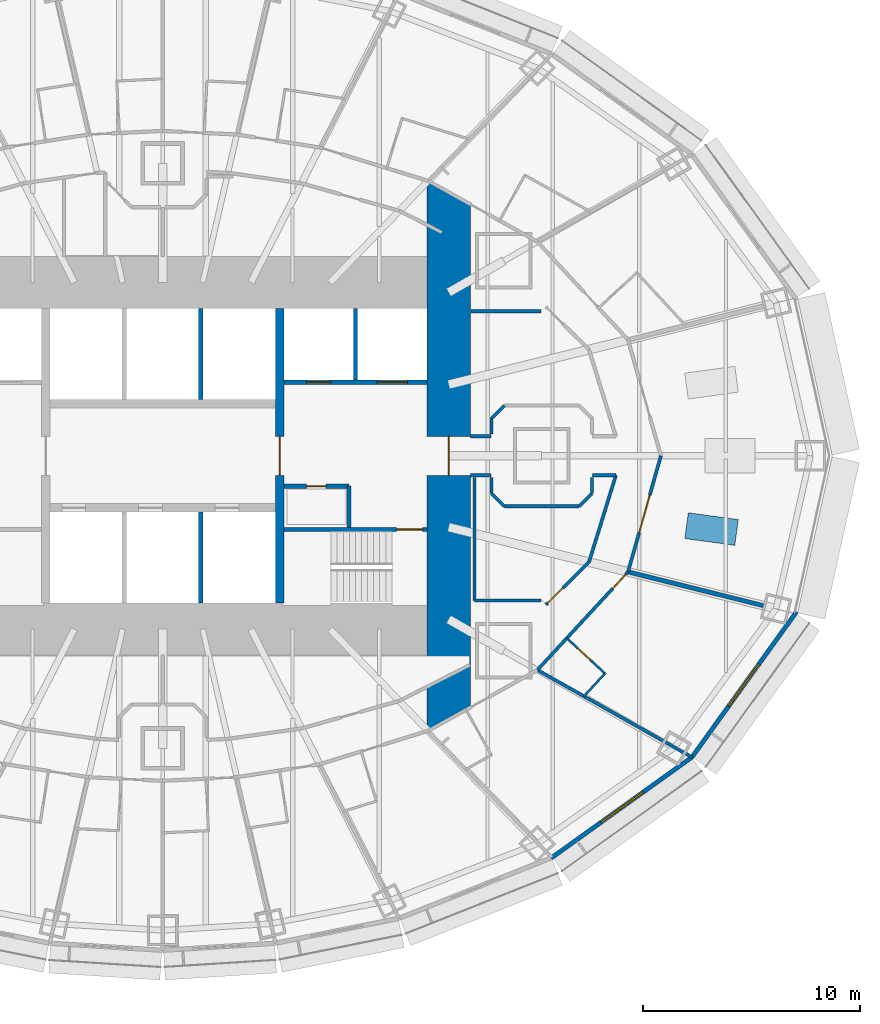
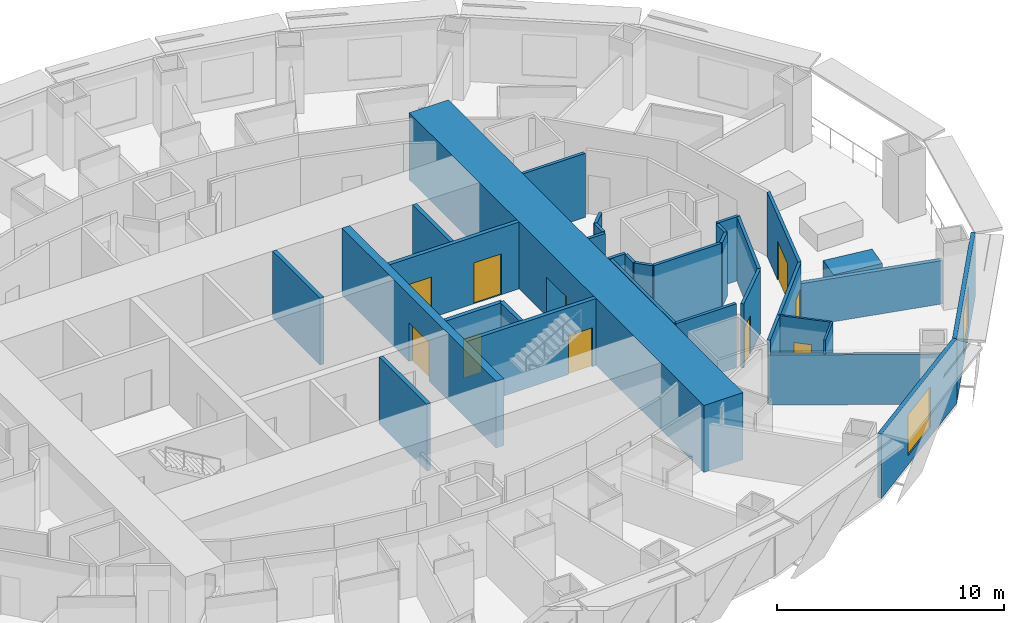
# One storey, part 8 of 17: 33 walls, 10 doors, 2 windows, 12 openings.
"""IFC4 building model written with IfcOpenShell, lengths in metres."""

from ifc_helpers import new_model, si_unit, direction, frame, frame_2d, origin, place, context, subcontext, project, spatial, rectangle, extrude, material, layer, layer_set, type_object, element, fill, save


model = new_model("IFC4")

# Units and contexts
model_context = context("Model", 3, precision=1e-05, world=origin(), true_north=direction((0.0, 1.0)))
body_context = subcontext(model_context, "Body", "Model", "MODEL_VIEW")
ifc_project = project(units=[si_unit("LENGTHUNIT", "METRE"), si_unit("AREAUNIT", "SQUARE_METRE"), si_unit("VOLUMEUNIT", "CUBIC_METRE"), si_unit("PLANEANGLEUNIT", "RADIAN"), si_unit("MASSUNIT", "GRAM", prefix="KILO")], contexts=[model_context])

# Site, building, storey
site_placement = place(None, origin())
site = spatial("IfcSite", under=ifc_project, at=site_placement, CompositionType="ELEMENT")
building_placement = place(site_placement, origin())
building = spatial("IfcBuilding", under=site, at=building_placement, Name="Lantaw Convention Tower", CompositionType="ELEMENT")
storey_placement = place(building_placement, frame((0.0, 0.0, 69.39990234375)))
storey = spatial("IfcBuildingStorey", under=building, at=storey_placement, Name="L15", CompositionType="ELEMENT", Elevation=69.39990234375)

# Walls
ifc_material_1 = material(Name="Gypsum board on steel studs", Category="steel")
ifc_layer_1 = layer(ifc_material_1, 0.14990234375)
ifc_layer_set_1 = layer_set([ifc_layer_1], Name="Back of house wall 150")
wall_type_1 = type_object("IfcWallType", Name="Back of house wall 150", PredefinedType="PARTITIONING", material=ifc_layer_set_1)
wall_1_placement = place(storey_placement, frame((14.39990234375, -1.0048828125, 0.0), z_axis=(0.0, 0.0, 1.0), x_axis=(0.0, -1.0, 0.0)))
element("IfcWall", 1, at=wall_1_placement, inside=storey, type_object=wall_type_1, Name="Back of house wall 150", PredefinedType="PARTITIONING", context=body_context, shape_type="SweptSolid", body=[
    extrude(rectangle(XDim=5.670166015625, YDim=0.14990234375, at=frame_2d((2.8349609375, 0.0))), origin(), (0.0, 0.0, 1.0), 3.4501953125),
])
wall_2_placement = place(storey_placement, frame((14.39990234375, -6.675048828125, 0.0), z_axis=(0.0, 0.0, 1.0), x_axis=(1.0, 0.0, 0.0)))
element("IfcWall", 2, at=wall_2_placement, inside=storey, type_object=wall_type_1, Name="Back of house wall 150", PredefinedType="PARTITIONING", context=body_context, shape_type="SweptSolid", body=[
    extrude(rectangle(XDim=3.07470703125, YDim=0.14990234375, at=frame_2d((1.537353515625, 0.0))), origin(), (0.0, 0.0, 1.0), 3.4501953125),
])

# Wall, opening, door
ifc_material_2 = material(Name="Moisture resistant gypsum board on steel studs", Category="steel")
ifc_layer_2 = layer(ifc_material_2, 0.10009765625)
ifc_layer_set_2 = layer_set([ifc_layer_2], Name="Bathroom wall 100")
wall_type_2 = type_object("IfcWallType", Name="Bathroom wall 100", PredefinedType="PARTITIONING", material=ifc_layer_set_2)
wall_3_placement = place(storey_placement, frame((18.65625, -8.416259765625, 0.0), z_axis=(0.0, 0.0, 1.0), x_axis=(0.73447964986, -0.678630712495, 0.0)))
wall_3 = element("IfcWall", 3, at=wall_3_placement, inside=storey, type_object=wall_type_2, Name="Bathroom wall 100", PredefinedType="PARTITIONING", context=body_context, shape_type="SweptSolid", body=[
    extrude(rectangle(XDim=2.39990234375, YDim=0.10009765625, at=frame_2d((1.199951171875, 0.0))), origin(), (0.0, 0.0, 1.0), 3.4501953125),
])
opening_1_placement = place(wall_3_placement, frame((0.699951171875, 0.0, 0.0)))
opening_1 = element("IfcOpeningElement", 4, at=opening_1_placement, cuts=wall_3, Name="Opening L15.67", PredefinedType="OPENING", context=body_context, shape_type="SweptSolid", body=[
    extrude(rectangle(XDim=0.800048828125, YDim=2.10009765625, at=frame_2d((0.39990234375, 1.050048828125))), frame((0.0, 0.06005859375, 0.0), z_axis=(0.0, -1.0, 0.0), x_axis=(1.0, 0.0, 0.0)), (0.0, 0.0, 1.0), 0.1201171875),
])
ifc_material_3 = material(Name="Timber", Category="wood")
door_type_1 = type_object("IfcDoorType", Name="Bathroom door 800", OperationType="SINGLE_SWING_LEFT", PredefinedType="DOOR", material=ifc_material_3)
door_1_placement = place(opening_1_placement, origin())
door_1 = element("IfcDoor", 5, at=door_1_placement, inside=storey, type_object=door_type_1, Name="Bathroom door", OperationType="SINGLE_SWING_LEFT", OverallHeight=2.10009765625, OverallWidth=0.800048828125, PredefinedType="DOOR", context=body_context, shape_type="SweptSolid", body=[
    extrude(rectangle(XDim=0.800048828125, YDim=2.10009765625, at=frame_2d((0.39990234375, 1.050048828125))), frame((0.0, 0.02490234375, 0.0), z_axis=(0.0, -1.0, 0.0), x_axis=(1.0, 0.0, 0.0)), (0.0, 0.0, 1.0), 0.050048828125),
])
fill(opening_1, door_1)

# Wall
wall_4_placement = place(storey_placement, frame((20.4189453125, -10.044921875, 0.0), z_axis=(0.0, 0.0, 1.0), x_axis=(-0.67861657312, -0.734492713842, 0.0)))
element("IfcWall", 6, at=wall_4_placement, inside=storey, type_object=wall_type_2, Name="Bathroom wall 100", PredefinedType="PARTITIONING", context=body_context, shape_type="SweptSolid", body=[
    extrude(rectangle(XDim=1.4462890625, YDim=0.10009765625, at=frame_2d((0.72314453125, 0.0))), origin(), (0.0, 0.0, 1.0), 3.4501953125),
])

# Wall, opening, door
ifc_material_4 = material(Name="Concrete C60/75", Category="concrete")
ifc_layer_3 = layer(ifc_material_4, 0.199951171875)
ifc_layer_set_3 = layer_set([ifc_layer_3], Name="Core wall 200")
wall_type_3 = type_object("IfcWallType", Name="Core wall 200", PredefinedType="SHEAR", material=ifc_layer_set_3)
wall_5_placement = place(storey_placement, frame((5.60009765625, -3.39990234375, 0.0), z_axis=(0.0, 0.0, 1.0), x_axis=(1.0, 0.0, 0.0)))
wall_5 = element("IfcWall", 7, at=wall_5_placement, inside=storey, type_object=wall_type_3, Name="Core wall ES", PredefinedType="SHEAR", context=body_context, shape_type="SweptSolid", body=[
    extrude(rectangle(XDim=6.599853515625, YDim=0.199951171875, at=frame_2d((3.2998046875, 0.0))), origin(), (0.0, 0.0, 1.0), 3.60009765625),
])
opening_2_placement = place(wall_5_placement, frame((5.199951171875, 0.0, 0.0)))
opening_2 = element("IfcOpeningElement", 8, at=opening_2_placement, cuts=wall_5, Name="Opening L15.04", PredefinedType="OPENING", context=body_context, shape_type="SweptSolid", body=[
    extrude(rectangle(XDim=1.199951171875, YDim=2.10009765625, at=frame_2d((0.60009765625, 1.050048828125))), frame((0.0, 0.10986328125, 0.0), z_axis=(0.0, -1.0, 0.0), x_axis=(1.0, 0.0, 0.0)), (0.0, 0.0, 1.0), 0.219970703125),
])
ifc_material_5 = material(Name="Steel, fire rated", Category="steel")
door_type_2 = type_object("IfcDoorType", Name="Stair door FD90", OperationType="SINGLE_SWING_RIGHT", PredefinedType="DOOR", material=ifc_material_5)
door_2_placement = place(opening_2_placement, origin())
door_2 = element("IfcDoor", 9, at=door_2_placement, inside=storey, type_object=door_type_2, Name="Exit stair door", OperationType="SINGLE_SWING_RIGHT", OverallHeight=2.10009765625, OverallWidth=1.199951171875, PredefinedType="DOOR", context=body_context, shape_type="SweptSolid", body=[
    extrude(rectangle(XDim=1.199951171875, YDim=2.10009765625, at=frame_2d((0.60009765625, 1.050048828125))), frame((0.0, 0.02490234375, 0.0), z_axis=(0.0, -1.0, 0.0), x_axis=(1.0, 0.0, 0.0)), (0.0, 0.0, 1.0), 0.050048828125),
])
fill(opening_2, door_2)

ifc_layer_4 = layer(ifc_material_4, 2.0)
ifc_layer_set_4 = layer_set([ifc_layer_4], Name="Core wall 2000")
wall_type_4 = type_object("IfcWallType", Name="Core wall 2000", PredefinedType="SHEAR", material=ifc_layer_set_4)
wall_6_placement = place(storey_placement, frame((13.199951171875, -13.0, 0.0), z_axis=(0.0, 0.0, 1.0), x_axis=(0.0, 1.0, 0.0)))
wall_6 = element("IfcWall", 10, at=wall_6_placement, inside=storey, type_object=wall_type_4, Name="Core wall E", PredefinedType="SHEAR", context=body_context, shape_type="SweptSolid", body=[
    extrude(rectangle(XDim=26.0, YDim=2.0, at=frame_2d((13.0, 0.0))), origin(), (0.0, 0.0, 1.0), 3.60009765625),
])
opening_3_placement = place(wall_6_placement, frame((12.10009765625, 0.0, 0.0)))
opening_3 = element("IfcOpeningElement", 11, at=opening_3_placement, cuts=wall_6, Name="Opening L15.06", PredefinedType="OPENING", context=body_context, shape_type="SweptSolid", body=[
    extrude(rectangle(XDim=1.800048828125, YDim=2.10009765625, at=frame_2d((0.89990234375, 1.050048828125))), frame((0.0, 1.010009765625, 0.0), z_axis=(0.0, -1.0, 0.0), x_axis=(1.0, 0.0, 0.0)), (0.0, 0.0, 1.0), 2.02001953125),
])
door_type_3 = type_object("IfcDoorType", Name="Lobby double door FD90", OperationType="DOUBLE_DOOR_DOUBLE_SWING", PredefinedType="DOOR", material=ifc_material_5)
door_3_placement = place(opening_3_placement, origin())
door_3 = element("IfcDoor", 12, at=door_3_placement, inside=storey, type_object=door_type_3, Name="Firefighting lobby door", OperationType="DOUBLE_DOOR_DOUBLE_SWING", OverallHeight=2.10009765625, OverallWidth=1.800048828125, PredefinedType="DOOR", context=body_context, shape_type="SweptSolid", body=[
    extrude(rectangle(XDim=1.800048828125, YDim=2.10009765625, at=frame_2d((0.89990234375, 1.050048828125))), frame((0.0, 0.02490234375, 0.0), z_axis=(0.0, -1.0, 0.0), x_axis=(1.0, 0.0, 0.0)), (0.0, 0.0, 1.0), 0.050048828125),
])
fill(opening_3, door_3)

ifc_layer_5 = layer(ifc_material_4, 0.39990234375)
ifc_layer_set_5 = layer_set([ifc_layer_5], Name="Core wall 400")
wall_type_5 = type_object("IfcWallType", Name="Core wall 400", PredefinedType="SHEAR", material=ifc_layer_set_5)
wall_7_placement = place(storey_placement, frame((5.39990234375, -6.800048828125, 0.0), z_axis=(0.0, 0.0, 1.0), x_axis=(0.0, 1.0, 0.0)))
wall_7 = element("IfcWall", 13, at=wall_7_placement, inside=storey, type_object=wall_type_5, Name="Core wall XE", PredefinedType="SHEAR", context=body_context, shape_type="SweptSolid", body=[
    extrude(rectangle(XDim=13.60009765625, YDim=0.39990234375, at=frame_2d((6.800048828125, 0.0))), origin(), (0.0, 0.0, 1.0), 3.60009765625),
])
opening_4_placement = place(wall_7_placement, frame((5.89990234375, 0.0, 0.0)))
opening_4 = element("IfcOpeningElement", 14, at=opening_4_placement, cuts=wall_7, Name="Opening L15.02", PredefinedType="OPENING", context=body_context, shape_type="SweptSolid", body=[
    extrude(rectangle(XDim=1.800048828125, YDim=2.10009765625, at=frame_2d((0.89990234375, 1.050048828125))), frame((0.0, 0.2099609375, 0.0), z_axis=(0.0, -1.0, 0.0), x_axis=(1.0, 0.0, 0.0)), (0.0, 0.0, 1.0), 0.419921875),
])
door_4_placement = place(opening_4_placement, origin())
door_4 = element("IfcDoor", 15, at=door_4_placement, inside=storey, type_object=door_type_3, Name="Lift lobby door", OperationType="DOUBLE_DOOR_DOUBLE_SWING", OverallHeight=2.10009765625, OverallWidth=1.800048828125, PredefinedType="DOOR", context=body_context, shape_type="SweptSolid", body=[
    extrude(rectangle(XDim=1.800048828125, YDim=2.10009765625, at=frame_2d((0.89990234375, 1.050048828125))), frame((0.0, 0.02490234375, 0.0), z_axis=(0.0, -1.0, 0.0), x_axis=(1.0, 0.0, 0.0)), (0.0, 0.0, 1.0), 0.050048828125),
])
fill(opening_4, door_4)

ifc_material_6 = material(Name="Gypsum board on steel studs, fire rated", Category="steel")
ifc_layer_6 = layer(ifc_material_6, 0.14990234375)
ifc_layer_set_6 = layer_set([ifc_layer_6], Name="Corridor wall 150 EI 60")
wall_type_6 = type_object("IfcWallType", Name="Corridor wall 150 EI 60", PredefinedType="PARTITIONING", material=ifc_layer_set_6)
wall_8_placement = place(storey_placement, frame((17.299072265625, -9.88525390625, 0.0), z_axis=(0.0, 0.0, 1.0), x_axis=(0.678641806296, 0.734469399463, 0.0)))
wall_8 = element("IfcWall", 16, at=wall_8_placement, inside=storey, type_object=wall_type_6, Name="Corridor wall 150", PredefinedType="PARTITIONING", context=body_context, shape_type="SweptSolid", body=[
    extrude(rectangle(XDim=6.166015625, YDim=0.14990234375, at=frame_2d((3.0830078125, 0.0))), origin(), (0.0, 0.0, 1.0), 3.4501953125),
])
opening_5_placement = place(wall_8_placement, frame((5.115966796875, 0.0, 0.0)))
opening_5 = element("IfcOpeningElement", 17, at=opening_5_placement, cuts=wall_8, Name="Opening L15.68", PredefinedType="OPENING", context=body_context, shape_type="SweptSolid", body=[
    extrude(rectangle(XDim=0.89990234375, YDim=2.10009765625, at=frame_2d((0.449951171875, 1.050048828125))), frame((0.0, 0.0849609375, 0.0), z_axis=(0.0, -1.0, 0.0), x_axis=(1.0, 0.0, 0.0)), (0.0, 0.0, 1.0), 0.169921875),
])
door_type_4 = type_object("IfcDoorType", Name="Guest room entrance door FD30S", OperationType="SINGLE_SWING_LEFT", PredefinedType="DOOR", material=ifc_material_5)
door_5_placement = place(opening_5_placement, origin())
door_5 = element("IfcDoor", 18, at=door_5_placement, inside=storey, type_object=door_type_4, Name="Guest room entrance door", OperationType="SINGLE_SWING_LEFT", OverallHeight=2.10009765625, OverallWidth=0.89990234375, PredefinedType="DOOR", context=body_context, shape_type="SweptSolid", body=[
    extrude(rectangle(XDim=0.89990234375, YDim=2.10009765625, at=frame_2d((0.449951171875, 1.050048828125))), frame((0.0, 0.02490234375, 0.0), z_axis=(0.0, -1.0, 0.0), x_axis=(1.0, 0.0, 0.0)), (0.0, 0.0, 1.0), 0.050048828125),
])
fill(opening_5, door_5)

# Wall
wall_9_placement = place(storey_placement, frame((19.6806640625, -4.906982421875, 0.0), z_axis=(0.0, 0.0, 1.0), x_axis=(0.295778570807, 0.955256529447, 0.0)))
element("IfcWall", 19, at=wall_9_placement, inside=storey, type_object=wall_type_6, Name="Corridor wall 150", PredefinedType="PARTITIONING", context=body_context, shape_type="SweptSolid", body=[
    extrude(rectangle(XDim=4.19482421875, YDim=0.14990234375, at=frame_2d((2.097412109375, 0.0))), origin(), (0.0, 0.0, 1.0), 3.4501953125),
])

# Wall, opening, door
wall_10_placement = place(storey_placement, frame((17.690185546875, -6.87646484375, 0.0), z_axis=(0.0, 0.0, 1.0), x_axis=(0.710845937688, 0.70334774676, 0.0)))
wall_10 = element("IfcWall", 20, at=wall_10_placement, inside=storey, type_object=wall_type_6, Name="Corridor wall 150", PredefinedType="PARTITIONING", context=body_context, shape_type="SweptSolid", body=[
    extrude(rectangle(XDim=2.800048828125, YDim=0.14990234375, at=frame_2d((1.39990234375, 0.0))), origin(), (0.0, 0.0, 1.0), 3.4501953125),
])
opening_6_placement = place(wall_10_placement, frame((0.10009765625, 0.0, 0.0)))
opening_6 = element("IfcOpeningElement", 21, at=opening_6_placement, cuts=wall_10, Name="Opening L15.24", PredefinedType="OPENING", context=body_context, shape_type="SweptSolid", body=[
    extrude(rectangle(XDim=1.0, YDim=2.10009765625, at=frame_2d((0.5, 1.050048828125))), frame((0.0, 0.0849609375, 0.0), z_axis=(0.0, -1.0, 0.0), x_axis=(1.0, 0.0, 0.0)), (0.0, 0.0, 1.0), 0.169921875),
])
door_type_5 = type_object("IfcDoorType", Name="Service door 1000 FD30", OperationType="SINGLE_SWING_LEFT", PredefinedType="DOOR", material=ifc_material_5)
door_6_placement = place(opening_6_placement, origin())
door_6 = element("IfcDoor", 22, at=door_6_placement, inside=storey, type_object=door_type_5, Name="Room service pantry door", OperationType="SINGLE_SWING_LEFT", OverallHeight=2.10009765625, OverallWidth=1.0, PredefinedType="DOOR", context=body_context, shape_type="SweptSolid", body=[
    extrude(rectangle(XDim=1.0, YDim=2.10009765625, at=frame_2d((0.5, 1.050048828125))), frame((0.0, 0.02490234375, 0.0), z_axis=(0.0, -1.0, 0.0), x_axis=(1.0, 0.0, 0.0)), (0.0, 0.0, 1.0), 0.050048828125),
])
fill(opening_6, door_6)

# Walls
wall_11_placement = place(storey_placement, frame((17.474609375, 6.675048828125, 0.0), z_axis=(0.0, 0.0, 1.0), x_axis=(-1.0, 0.0, 0.0)))
element("IfcWall", 23, at=wall_11_placement, inside=storey, type_object=wall_type_6, Name="Corridor wall 150", PredefinedType="PARTITIONING", context=body_context, shape_type="SweptSolid", body=[
    extrude(rectangle(XDim=3.24462890625, YDim=0.14990234375, at=frame_2d((1.622314453125, 0.0))), origin(), (0.0, 0.0, 1.0), 3.4501953125),
])
wall_12_placement = place(storey_placement, frame((14.199951171875, -0.89990234375, 0.0), z_axis=(0.0, 0.0, 1.0), x_axis=(1.0, 0.0, 0.0)))
element("IfcWall", 24, at=wall_12_placement, inside=storey, type_object=wall_type_6, Name="Corridor wall 150", PredefinedType="PARTITIONING", context=body_context, shape_type="SweptSolid", body=[
    extrude(rectangle(XDim=0.965087890625, YDim=0.14990234375, at=frame_2d((0.482421875, 0.0))), origin(), (0.0, 0.0, 1.0), 3.4501953125),
])
wall_13_placement = place(storey_placement, frame((19.8349609375, -0.89990234375, 0.0), z_axis=(0.0, 0.0, 1.0), x_axis=(1.0, 0.0, 0.0)))
element("IfcWall", 25, at=wall_13_placement, inside=storey, type_object=wall_type_6, Name="Corridor wall 150", PredefinedType="PARTITIONING", context=body_context, shape_type="SweptSolid", body=[
    extrude(rectangle(XDim=1.08642578125, YDim=0.14990234375, at=frame_2d((0.543212890625, 0.0))), origin(), (0.0, 0.0, 1.0), 3.4501953125),
])
wall_14_placement = place(storey_placement, frame((14.199951171875, 0.89990234375, 0.0), z_axis=(0.0, 0.0, 1.0), x_axis=(1.0, 0.0, 0.0)))
element("IfcWall", 26, at=wall_14_placement, inside=storey, type_object=wall_type_6, Name="Corridor wall 150", PredefinedType="PARTITIONING", context=body_context, shape_type="SweptSolid", body=[
    extrude(rectangle(XDim=0.965087890625, YDim=0.14990234375, at=frame_2d((0.482421875, 0.0))), origin(), (0.0, 0.0, 1.0), 3.4501953125),
])
wall_15_placement = place(storey_placement, frame((15.175048828125, 1.003173828125, 0.0), z_axis=(0.0, 0.0, 1.0), x_axis=(0.0, 1.0, 0.0)))
element("IfcWall", 27, at=wall_15_placement, inside=storey, type_object=wall_type_6, Name="Corridor wall 150", PredefinedType="PARTITIONING", context=body_context, shape_type="SweptSolid", body=[
    extrude(rectangle(XDim=0.721435546875, YDim=0.14990234375, at=frame_2d((0.36083984375, 0.0))), origin(), (0.0, 0.0, 1.0), 3.4501953125),
])
wall_16_placement = place(storey_placement, frame((15.175048828125, 1.724609375, 0.0), z_axis=(0.0, 0.0, 1.0), x_axis=(0.707106781187, 0.707106781187, 0.0)))
element("IfcWall", 28, at=wall_16_placement, inside=storey, type_object=wall_type_6, Name="Corridor wall 150", PredefinedType="PARTITIONING", context=body_context, shape_type="SweptSolid", body=[
    extrude(rectangle(XDim=0.84912109375, YDim=0.14990234375, at=frame_2d((0.424560546875, 0.0))), origin(), (0.0, 0.0, 1.0), 3.4501953125),
])
for number, where, z_axis, x_axis, name in (
    (29, (15.175048828125, -1.724609375, 0.0), (0.0, 0.0, 1.0), (0.0, 1.0, 0.0), "Corridor wall 150"),
    (30, (19.824951171875, -1.003173828125, 0.0), (0.0, 0.0, 1.0), (0.0, -1.0, 0.0), "Corridor wall 150"),
):
    element("IfcWall", number, at=place(storey_placement, frame(where, z_axis=z_axis, x_axis=x_axis)), inside=storey, type_object=wall_type_6, Name=name, PredefinedType="PARTITIONING", context=body_context, shape_type="SweptSolid", body=[
        extrude(rectangle(XDim=0.721435546875, YDim=0.14990234375, at=frame_2d((0.36083984375, 0.0))), origin(), (0.0, 0.0, 1.0), 3.4501953125),
    ])
wall_17_placement = place(storey_placement, frame((19.824951171875, -1.724609375, 0.0), z_axis=(0.0, 0.0, 1.0), x_axis=(-0.707106781187, -0.707106781187, 0.0)))
element("IfcWall", 31, at=wall_17_placement, inside=storey, type_object=wall_type_6, Name="Corridor wall 150", PredefinedType="PARTITIONING", context=body_context, shape_type="SweptSolid", body=[
    extrude(rectangle(XDim=0.84912109375, YDim=0.14990234375, at=frame_2d((0.424560546875, 0.0))), origin(), (0.0, 0.0, 1.0), 3.4501953125),
])
wall_18_placement = place(storey_placement, frame((19.224609375, -2.324951171875, 0.0), z_axis=(0.0, 0.0, 1.0), x_axis=(-1.0, 0.0, 0.0)))
element("IfcWall", 32, at=wall_18_placement, inside=storey, type_object=wall_type_6, Name="Corridor wall 150", PredefinedType="PARTITIONING", context=body_context, shape_type="SweptSolid", body=[
    extrude(rectangle(XDim=3.44921875, YDim=0.14990234375, at=frame_2d((1.724609375, 0.0))), origin(), (0.0, 0.0, 1.0), 3.4501953125),
])
wall_19_placement = place(storey_placement, frame((15.775390625, -2.324951171875, 0.0), z_axis=(0.0, 0.0, 1.0), x_axis=(-0.707106781187, 0.707106781187, 0.0)))
element("IfcWall", 33, at=wall_19_placement, inside=storey, type_object=wall_type_6, Name="Corridor wall 150", PredefinedType="PARTITIONING", context=body_context, shape_type="SweptSolid", body=[
    extrude(rectangle(XDim=0.84912109375, YDim=0.14990234375, at=frame_2d((0.424560546875, 0.0))), origin(), (0.0, 0.0, 1.0), 3.4501953125),
])

# Wall, opening, window
ifc_material_7 = material(Name="Insulated aluminium panel on steel frame", Category="steel")
ifc_layer_7 = layer(ifc_material_7, 0.199951171875)
ifc_layer_set_7 = layer_set([ifc_layer_7], Name="External wall 200")
wall_type_7 = type_object("IfcWallType", Name="External wall 200", PredefinedType="SOLIDWALL", material=ifc_layer_set_7)
wall_20_placement = place(storey_placement, frame((17.9287109375, -18.57177734375, 0.0), z_axis=(0.0, 0.0, 1.0), x_axis=(0.812791321576, 0.582554948112, 0.0)))
wall_20 = element("IfcWall", 34, at=wall_20_placement, inside=storey, type_object=wall_type_7, Name="Facade panel wall", PredefinedType="SOLIDWALL", context=body_context, shape_type="SweptSolid", body=[
    extrude(rectangle(XDim=8.063232421875, YDim=0.199951171875, at=frame_2d((4.03173828125, 0.0))), origin(), (0.0, 0.0, 1.0), 3.4501953125),
])
opening_7_placement = place(wall_20_placement, frame((2.83154296875, 0.0, 0.5)))
opening_7 = element("IfcOpeningElement", 35, at=opening_7_placement, cuts=wall_20, Name="Opening W1", PredefinedType="OPENING", context=body_context, shape_type="SweptSolid", body=[
    extrude(rectangle(XDim=2.39990234375, YDim=2.199951171875, at=frame_2d((1.199951171875, 1.10009765625))), frame((0.0, 0.10986328125, 0.0), z_axis=(0.0, -1.0, 0.0), x_axis=(1.0, 0.0, 0.0)), (0.0, 0.0, 1.0), 0.219970703125),
])
ifc_material_8 = material(Name="Aluminium frame, clear insulating glass", Category="aluminium")
window_type = type_object("IfcWindowType", Name="Guest room window 2400x2200", PartitioningType="SINGLE_PANEL", PredefinedType="WINDOW", material=ifc_material_8)
window_1_placement = place(opening_7_placement, origin())
window_1 = element("IfcWindow", 36, at=window_1_placement, inside=storey, type_object=window_type, Name="Guest room window", OverallHeight=2.199951171875, OverallWidth=2.39990234375, PartitioningType="SINGLE_PANEL", PredefinedType="WINDOW", context=body_context, shape_type="SweptSolid", body=[
    extrude(rectangle(XDim=2.39990234375, YDim=2.199951171875, at=frame_2d((1.199951171875, 1.10009765625))), frame((0.0, 0.030029296875, 0.0), z_axis=(0.0, -1.0, 0.0), x_axis=(1.0, 0.0, 0.0)), (0.0, 0.0, 1.0), 0.06005859375),
])
fill(opening_7, window_1)

wall_21_placement = place(storey_placement, frame((24.400390625, -13.95654296875, 0.0), z_axis=(0.0, 0.0, 1.0), x_axis=(0.583937613703, 0.811798536155, 0.0)))
wall_21 = element("IfcWall", 37, at=wall_21_placement, inside=storey, type_object=wall_type_7, Name="Facade panel wall", PredefinedType="SOLIDWALL", context=body_context, shape_type="SweptSolid", body=[
    extrude(rectangle(XDim=8.322998046875, YDim=0.199951171875, at=frame_2d((4.16162109375, 0.0))), origin(), (0.0, 0.0, 1.0), 3.4501953125),
])
opening_8_placement = place(wall_21_placement, frame((2.96142578125, 0.0, 0.5)))
opening_8 = element("IfcOpeningElement", 38, at=opening_8_placement, cuts=wall_21, Name="Opening W1", PredefinedType="OPENING", context=body_context, shape_type="SweptSolid", body=[
    extrude(rectangle(XDim=2.39990234375, YDim=2.199951171875, at=frame_2d((1.199951171875, 1.10009765625))), frame((0.0, 0.10986328125, 0.0), z_axis=(0.0, -1.0, 0.0), x_axis=(1.0, 0.0, 0.0)), (0.0, 0.0, 1.0), 0.219970703125),
])
window_2_placement = place(opening_8_placement, origin())
window_2 = element("IfcWindow", 39, at=window_2_placement, inside=storey, type_object=window_type, Name="Guest room window", OverallHeight=2.199951171875, OverallWidth=2.39990234375, PartitioningType="SINGLE_PANEL", PredefinedType="WINDOW", context=body_context, shape_type="SweptSolid", body=[
    extrude(rectangle(XDim=2.39990234375, YDim=2.199951171875, at=frame_2d((1.199951171875, 1.10009765625))), frame((0.0, 0.030029296875, 0.0), z_axis=(0.0, -1.0, 0.0), x_axis=(1.0, 0.0, 0.0)), (0.0, 0.0, 1.0), 0.06005859375),
])
fill(opening_8, window_2)

# Wall
wall_22_placement = place(storey_placement, frame((27.832763671875, -6.939453125, 0.0), z_axis=(0.0, 0.0, 1.0), x_axis=(-0.970295936837, 0.241921051083, 0.0)))
element("IfcWall", 40, at=wall_22_placement, inside=storey, type_object=wall_type_7, Name="External wall 200", PredefinedType="SOLIDWALL", context=body_context, shape_type="SweptSolid", body=[
    extrude(rectangle(XDim=6.54345703125, YDim=0.199951171875, at=frame_2d((3.271728515625, 0.0))), origin(), (0.0, 0.0, 1.0), 2.33251953125),
])

# Wall, opening, door
ifc_material_9 = material(Name="Aluminium framed glazing", Category="aluminium")
ifc_layer_8 = layer(ifc_material_9, 0.14990234375)
ifc_layer_set_8 = layer_set([ifc_layer_8], Name="Glazed garden screen 150")
wall_type_8 = type_object("IfcWallType", Name="Glazed garden screen 150", PredefinedType="ELEMENTEDWALL", material=ifc_layer_set_8)
wall_23_placement = place(storey_placement, frame((21.483642578125, -5.3564453125, 0.0), z_axis=(0.0, 0.0, 1.0), x_axis=(0.272386051236, 0.962188047677, 0.0)))
wall_23 = element("IfcWall", 41, at=wall_23_placement, inside=storey, type_object=wall_type_8, Name="Glazed garden screen 150", PredefinedType="ELEMENTEDWALL", context=body_context, shape_type="SweptSolid", body=[
    extrude(rectangle(XDim=5.56689453125, YDim=0.14990234375, at=frame_2d((2.783447265625, 0.0))), origin(), (0.0, 0.0, 1.0), 3.4501953125),
])
opening_9_placement = place(wall_23_placement, frame((1.883544921875, 0.0, 0.0)))
opening_9 = element("IfcOpeningElement", 42, at=opening_9_placement, cuts=wall_23, Name="Opening L15.69", PredefinedType="OPENING", context=body_context, shape_type="SweptSolid", body=[
    extrude(rectangle(XDim=1.800048828125, YDim=2.10009765625, at=frame_2d((0.89990234375, 1.050048828125))), frame((0.0, 0.0849609375, 0.0), z_axis=(0.0, -1.0, 0.0), x_axis=(1.0, 0.0, 0.0)), (0.0, 0.0, 1.0), 0.169921875),
])
ifc_material_10 = material(Name="Aluminium and glass", Category="aluminium")
door_type_6 = type_object("IfcDoorType", Name="Garden door 1800", OperationType="DOUBLE_DOOR_DOUBLE_SWING", PredefinedType="DOOR", material=ifc_material_10)
door_7_placement = place(opening_9_placement, origin())
door_7 = element("IfcDoor", 43, at=door_7_placement, inside=storey, type_object=door_type_6, Name="Sky garden door", OperationType="DOUBLE_DOOR_DOUBLE_SWING", OverallHeight=2.10009765625, OverallWidth=1.800048828125, PredefinedType="DOOR", context=body_context, shape_type="SweptSolid", body=[
    extrude(rectangle(XDim=1.800048828125, YDim=2.10009765625, at=frame_2d((0.89990234375, 1.050048828125))), frame((0.0, 0.02490234375, 0.0), z_axis=(0.0, -1.0, 0.0), x_axis=(1.0, 0.0, 0.0)), (0.0, 0.0, 1.0), 0.050048828125),
])
fill(opening_9, door_7)

# Walls
ifc_material_11 = material(Name="Gypsum board on steel studs, acoustic", Category="steel")
ifc_layer_9 = layer(ifc_material_11, 0.14990234375)
ifc_layer_set_9 = layer_set([ifc_layer_9], Name="Guest room party wall 150")
wall_type_9 = type_object("IfcWallType", Name="Guest room party wall 150", PredefinedType="PARTITIONING", material=ifc_layer_set_9)
wall_24_placement = place(storey_placement, frame((24.434814453125, -13.90869140625, 0.0), z_axis=(0.0, 0.0, 1.0), x_axis=(-0.871075246657, 0.491149584813, 0.0)))
element("IfcWall", 44, at=wall_24_placement, inside=storey, type_object=wall_type_9, Name="Guest room party wall 150", PredefinedType="PARTITIONING", context=body_context, shape_type="SweptSolid", body=[
    extrude(rectangle(XDim=8.19189453125, YDim=0.14990234375, at=frame_2d((4.095947265625, 0.0))), origin(), (0.0, 0.0, 1.0), 2.693115234375),
])
ifc_material_12 = material(Name="Precast concrete planter", Category="concrete")
ifc_layer_10 = layer(ifc_material_12, 1.199951171875)
ifc_layer_set_10 = layer_set([ifc_layer_10], Name="PLANTER box 1200x900")
wall_type_10 = type_object("IfcWallType", Name="PLANTER box 1200x900", PredefinedType="USERDEFINED", material=ifc_layer_set_10)
wall_25_placement = place(storey_placement, frame((24.184326171875, -3.221435546875, 0.0), z_axis=(0.0, 0.0, 1.0), x_axis=(0.99080909921, -0.13526761964, 0.0)))
element("IfcWall", 45, at=wall_25_placement, inside=storey, type_object=wall_type_10, Name="Tree PLANTER", ObjectType="PLANTER", PredefinedType="USERDEFINED", context=body_context, shape_type="SweptSolid", body=[
    extrude(rectangle(XDim=2.328369140625, YDim=1.199951171875, at=frame_2d((1.1640625, 0.0))), origin(), (0.0, 0.0, 1.0), 0.900146484375),
])

# Wall, opening, door
ifc_material_13 = material(Name="Concrete blockwork, fire rated", Category="masonry")
ifc_layer_11 = layer(ifc_material_13, 0.199951171875)
ifc_layer_set_11 = layer_set([ifc_layer_11], Name="Plant room wall 200 EI 120")
wall_type_11 = type_object("IfcWallType", Name="Plant room wall 200 EI 120", PredefinedType="SOLIDWALL", material=ifc_layer_set_11)
wall_26_placement = place(storey_placement, frame((5.60009765625, -1.39990234375, 0.0), z_axis=(0.0, 0.0, 1.0), x_axis=(1.0, 0.0, 0.0)))
wall_26 = element("IfcWall", 46, at=wall_26_placement, inside=storey, type_object=wall_type_11, Name="Plant room wall 200", PredefinedType="SOLIDWALL", context=body_context, shape_type="SweptSolid", body=[
    extrude(rectangle(XDim=3.0, YDim=0.199951171875, at=frame_2d((1.5, 0.0))), origin(), (0.0, 0.0, 1.0), 3.4501953125),
])
opening_10_placement = place(wall_26_placement, frame((1.050048828125, 0.0, 0.0)))
opening_10 = element("IfcOpeningElement", 47, at=opening_10_placement, cuts=wall_26, Name="Opening L15.01", PredefinedType="OPENING", context=body_context, shape_type="SweptSolid", body=[
    extrude(rectangle(XDim=0.89990234375, YDim=2.10009765625, at=frame_2d((0.449951171875, 1.050048828125))), frame((0.0, 0.10986328125, 0.0), z_axis=(0.0, -1.0, 0.0), x_axis=(1.0, 0.0, 0.0)), (0.0, 0.0, 1.0), 0.219970703125),
])
door_type_7 = type_object("IfcDoorType", Name="Service door 900 FD60", OperationType="SINGLE_SWING_LEFT", PredefinedType="DOOR", material=ifc_material_5)
door_8_placement = place(opening_10_placement, origin())
door_8 = element("IfcDoor", 48, at=door_8_placement, inside=storey, type_object=door_type_7, Name="Staff WC door", OperationType="SINGLE_SWING_LEFT", OverallHeight=2.10009765625, OverallWidth=0.89990234375, PredefinedType="DOOR", context=body_context, shape_type="SweptSolid", body=[
    extrude(rectangle(XDim=0.89990234375, YDim=2.10009765625, at=frame_2d((0.449951171875, 1.050048828125))), frame((0.0, 0.02490234375, 0.0), z_axis=(0.0, -1.0, 0.0), x_axis=(1.0, 0.0, 0.0)), (0.0, 0.0, 1.0), 0.050048828125),
])
fill(opening_10, door_8)

# Walls
wall_27_placement = place(storey_placement, frame((8.60009765625, -1.39990234375, 0.0), z_axis=(0.0, 0.0, 1.0), x_axis=(0.0, -1.0, 0.0)))
element("IfcWall", 49, at=wall_27_placement, inside=storey, type_object=wall_type_11, Name="Plant room wall 200", PredefinedType="SOLIDWALL", context=body_context, shape_type="SweptSolid", body=[
    extrude(rectangle(XDim=1.900146484375, YDim=0.199951171875, at=frame_2d((0.9501953125, 0.0))), origin(), (0.0, 0.0, 1.0), 3.4501953125),
])
ifc_layer_12 = layer(ifc_material_13, 0.199951171875)
ifc_layer_set_12 = layer_set([ifc_layer_12], Name="Shaft wall 200")
wall_type_12 = type_object("IfcWallType", Name="Shaft wall 200", PredefinedType="SOLIDWALL", material=ifc_layer_set_12)
wall_28_placement = place(storey_placement, frame((1.7666015625, 2.60009765625, 0.0), z_axis=(0.0, 0.0, 1.0), x_axis=(0.0, 1.0, 0.0)))
element("IfcWall", 50, at=wall_28_placement, inside=storey, type_object=wall_type_12, Name="Shaft wall DN2", PredefinedType="SOLIDWALL", context=body_context, shape_type="SweptSolid", body=[
    extrude(rectangle(XDim=4.199951171875, YDim=0.199951171875, at=frame_2d((2.10009765625, 0.0))), origin(), (0.0, 0.0, 1.0), 3.60009765625),
])

# Wall, openings, doors
wall_29_placement = place(storey_placement, frame((12.199951171875, 3.39990234375, 0.0), z_axis=(0.0, 0.0, 1.0), x_axis=(-1.0, 0.0, 0.0)))
wall_29 = element("IfcWall", 51, at=wall_29_placement, inside=storey, type_object=wall_type_12, Name="Shaft wall EN", PredefinedType="SOLIDWALL", context=body_context, shape_type="SweptSolid", body=[
    extrude(rectangle(XDim=6.599853515625, YDim=0.199951171875, at=frame_2d((3.2998046875, 0.0))), origin(), (0.0, 0.0, 1.0), 3.60009765625),
])
opening_11_placement = place(wall_29_placement, frame((4.449951171875, 0.0, 0.0)))
opening_11 = element("IfcOpeningElement", 52, at=opening_11_placement, cuts=wall_29, Name="Opening L15.13", PredefinedType="OPENING", context=body_context, shape_type="SweptSolid", body=[
    extrude(rectangle(XDim=1.10009765625, YDim=2.199951171875, at=frame_2d((0.550048828125, 1.10009765625))), frame((0.0, 0.10986328125, 0.0), z_axis=(0.0, -1.0, 0.0), x_axis=(1.0, 0.0, 0.0)), (0.0, 0.0, 1.0), 0.219970703125),
])
opening_12_placement = place(wall_29_placement, frame((0.89990234375, 0.0, 0.0)))
opening_12 = element("IfcOpeningElement", 53, at=opening_12_placement, cuts=wall_29, Name="Opening L15.14", PredefinedType="OPENING", context=body_context, shape_type="SweptSolid", body=[
    extrude(rectangle(XDim=1.39990234375, YDim=2.199951171875, at=frame_2d((0.699951171875, 1.10009765625))), frame((0.0, 0.10986328125, 0.0), z_axis=(0.0, -1.0, 0.0), x_axis=(1.0, 0.0, 0.0)), (0.0, 0.0, 1.0), 0.219970703125),
])
ifc_material_14 = material(Name="Stainless steel", Category="steel")
door_type_8 = type_object("IfcDoorType", Name="Lift landing door 1100", OperationType="DOUBLE_DOOR_SLIDING", PredefinedType="DOOR", material=ifc_material_14)
door_9_placement = place(opening_11_placement, origin())
door_9 = element("IfcDoor", 54, at=door_9_placement, inside=storey, type_object=door_type_8, Name="Lift landing door FF2", OperationType="DOUBLE_DOOR_SLIDING", OverallHeight=2.199951171875, OverallWidth=1.10009765625, PredefinedType="DOOR", context=body_context, shape_type="SweptSolid", body=[
    extrude(rectangle(XDim=1.10009765625, YDim=2.199951171875, at=frame_2d((0.550048828125, 1.10009765625))), frame((0.0, 0.02490234375, 0.0), z_axis=(0.0, -1.0, 0.0), x_axis=(1.0, 0.0, 0.0)), (0.0, 0.0, 1.0), 0.050048828125),
])
fill(opening_11, door_9)
door_type_9 = type_object("IfcDoorType", Name="Lift landing door 1400", OperationType="DOUBLE_DOOR_SLIDING", PredefinedType="DOOR", material=ifc_material_14)
door_10_placement = place(opening_12_placement, origin())
door_10 = element("IfcDoor", 55, at=door_10_placement, inside=storey, type_object=door_type_9, Name="Lift landing door SV2", OperationType="DOUBLE_DOOR_SLIDING", OverallHeight=2.199951171875, OverallWidth=1.39990234375, PredefinedType="DOOR", context=body_context, shape_type="SweptSolid", body=[
    extrude(rectangle(XDim=1.39990234375, YDim=2.199951171875, at=frame_2d((0.699951171875, 1.10009765625))), frame((0.0, 0.02490234375, 0.0), z_axis=(0.0, -1.0, 0.0), x_axis=(1.0, 0.0, 0.0)), (0.0, 0.0, 1.0), 0.050048828125),
])
fill(opening_12, door_10)

# Walls
wall_30_placement = place(storey_placement, frame((8.89990234375, 3.5, 0.0), z_axis=(0.0, 0.0, 1.0), x_axis=(0.0, 1.0, 0.0)))
element("IfcWall", 56, at=wall_30_placement, inside=storey, type_object=wall_type_12, Name="Shaft wall ED", PredefinedType="SOLIDWALL", context=body_context, shape_type="SweptSolid", body=[
    extrude(rectangle(XDim=3.300048828125, YDim=0.199951171875, at=frame_2d((1.64990234375, 0.0))), origin(), (0.0, 0.0, 1.0), 3.60009765625),
])
ifc_layer_13 = layer(ifc_material_13, 0.199951171875)
ifc_layer_set_13 = layer_set([ifc_layer_13], Name="Shaft wall 200 load-bearing")
wall_type_13 = type_object("IfcWallType", Name="Shaft wall 200 load-bearing", PredefinedType="SOLIDWALL", material=ifc_layer_set_13)
wall_31_placement = place(storey_placement, frame((1.7666015625, -2.60009765625, 0.0), z_axis=(0.0, 0.0, 1.0), x_axis=(0.0, -1.0, 0.0)))
element("IfcWall", 57, at=wall_31_placement, inside=storey, type_object=wall_type_13, Name="Shaft wall DS2", PredefinedType="SOLIDWALL", context=body_context, shape_type="SweptSolid", body=[
    extrude(rectangle(XDim=4.199951171875, YDim=0.199951171875, at=frame_2d((2.10009765625, 0.0))), origin(), (0.0, 0.0, 1.0), 3.60009765625),
])

save(model, "model.ifc")
